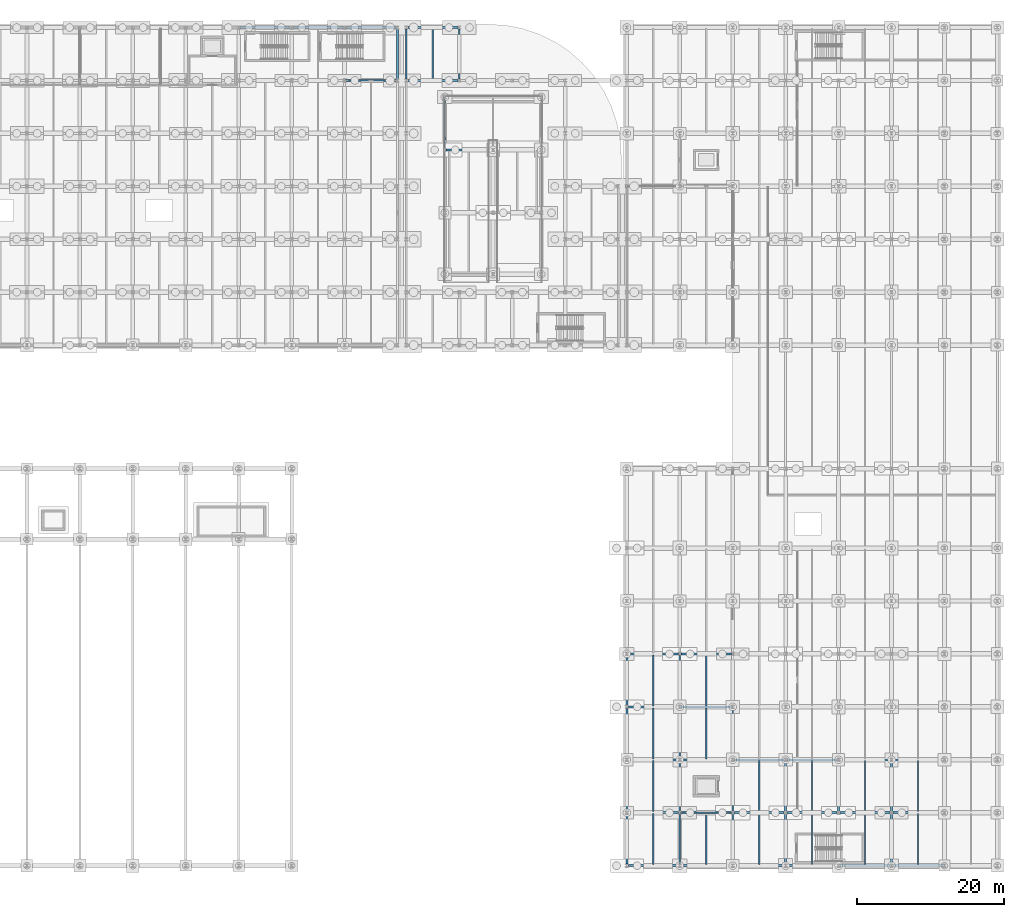
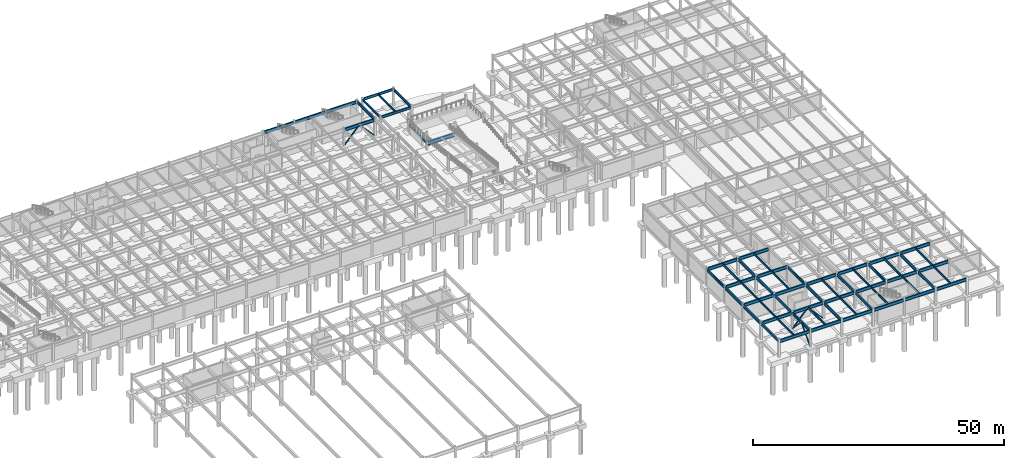
# One storey, part 32 of 54: 65 beams, 6 members.
"""IFC4 building model written with IfcOpenShell, lengths in metres."""

from ifc_helpers import new_model, si_unit, direction, frame, origin, origin_2d, place, context, subcontext, project, spatial, hollow_rectangle, i_section, extrude, material, material_profile, profile_set, type_object, element, save


model = new_model("IFC4")

# Units and contexts
model_context = context("Model", 3, precision=1e-05, world=origin(), true_north=direction((0.0, 1.0)))
body_context = subcontext(model_context, "Body", "Model", "MODEL_VIEW")
ifc_project = project(units=[si_unit("LENGTHUNIT", "METRE"), si_unit("AREAUNIT", "SQUARE_METRE"), si_unit("VOLUMEUNIT", "CUBIC_METRE"), si_unit("PLANEANGLEUNIT", "RADIAN"), si_unit("MASSUNIT", "GRAM", prefix="KILO")], contexts=[model_context])

# Site, building, storey
site_placement = place(None, origin())
site = spatial("IfcSite", under=ifc_project, at=site_placement, CompositionType="ELEMENT")
building_placement = place(site_placement, origin())
building = spatial("IfcBuilding", under=site, at=building_placement, Name="Vaelcorin Mobility Hub", CompositionType="ELEMENT")
storey_placement = place(building_placement, frame((0.0, 0.0, -4.5)))
storey = spatial("IfcBuildingStorey", under=building, at=storey_placement, Name="B1", CompositionType="ELEMENT", Elevation=-4.5)

# Beams
ifc_material_1 = material(Name="Steel ASTM A992 Grade 50", Category="steel")
ifc_material_profile_1 = material_profile(ifc_material_1, i_section(OverallWidth=0.152099609375, OverallDepth=0.455078125, WebThickness=0.008056640625, FlangeThickness=0.01318359375, FilletRadius=0.012939453125, at=origin_2d()), Name="W18X40")
ifc_profile_set_1 = profile_set([ifc_material_profile_1], Name="Steel ASTM A992 Grade 50")
beam_type_1 = type_object("IfcBeamType", Name="BM-W18X40", PredefinedType="JOIST", material=ifc_profile_set_1)
beam_1_placement = place(storey_placement, frame((127.199951171875, 112.912109375, 4.02197265625), z_axis=(0.0, 1.0, 0.0), x_axis=(-1.0, 0.0, 0.0)))
element("IfcBeam", 1, at=beam_1_placement, inside=storey, type_object=beam_type_1, Name="B1 Beam V2E-B1-J-01-06-1", PredefinedType="JOIST", context=body_context, shape_type="SweptSolid", body=[
    extrude(i_section(OverallWidth=0.152099609375, OverallDepth=0.455078125, WebThickness=0.008056640625, FlangeThickness=0.01318359375, FilletRadius=0.012939453125, at=origin_2d()), origin(), (0.0, 0.0, 1.0), 6.975830078125),
])
ifc_material_profile_2 = material_profile(ifc_material_1, i_section(OverallWidth=0.166015625, OverallDepth=0.528076171875, WebThickness=0.009765625, FlangeThickness=0.013671875, FilletRadius=0.013916015625, at=origin_2d()), Name="W21X50")
ifc_profile_set_2 = profile_set([ifc_material_profile_2], Name="Steel ASTM A992 Grade 50")
beam_type_2 = type_object("IfcBeamType", Name="BM-W21X50", PredefinedType="JOIST", material=ifc_profile_set_2)
for number, where, z_axis, x_axis, name in (
    (2, (157.199951171875, 6.132080078125, 3.916015625), (0.0, 1.0, 0.0), (-1.0, 0.0, 0.0), "B1 Beam V5-B1-J-01-01-1"),
    (3, (157.199951171875, 13.33203125, 3.916015625), (0.0, 1.0, 0.0), (-1.0, 0.0, 0.0), "B1 Beam V5-B1-J-01-02-1"),
):
    element("IfcBeam", number, at=place(storey_placement, frame(where, z_axis=z_axis, x_axis=x_axis)), inside=storey, type_object=beam_type_2, Name=name, PredefinedType="JOIST", context=body_context, shape_type="SweptSolid", body=[
        extrude(i_section(OverallWidth=0.166015625, OverallDepth=0.528076171875, WebThickness=0.009765625, FlangeThickness=0.013671875, FilletRadius=0.013916015625, at=origin_2d()), origin(), (0.0, 0.0, 1.0), 6.93603515625),
    ])
beam_2_placement = place(storey_placement, frame((157.199951171875, 20.531005859375, 3.916015625), z_axis=(0.0, 1.0, 0.0), x_axis=(-1.0, 0.0, 0.0)))
element("IfcBeam", 4, at=beam_2_placement, inside=storey, type_object=beam_type_2, Name="B1 Beam V5-B1-J-01-03-1", PredefinedType="JOIST", context=body_context, shape_type="SweptSolid", body=[
    extrude(i_section(OverallWidth=0.166015625, OverallDepth=0.528076171875, WebThickness=0.009765625, FlangeThickness=0.013671875, FilletRadius=0.013916015625, at=origin_2d()), origin(), (0.0, 0.0, 1.0), 6.93798828125),
])
for number, where, z_axis, x_axis, name in (
    (5, (157.199951171875, 27.73193359375, 3.916015625), (0.0, 1.0, 0.0), (-1.0, 0.0, 0.0), "B1 Beam V5-B1-J-01-04-1"),
    (6, (164.39990234375, 6.132080078125, 3.916015625), (0.0, 1.0, 0.0), (-1.0, 0.0, 0.0), "B1 Beam V5-B1-J-02-01-1"),
):
    element("IfcBeam", number, at=place(storey_placement, frame(where, z_axis=z_axis, x_axis=x_axis)), inside=storey, type_object=beam_type_2, Name=name, PredefinedType="JOIST", context=body_context, shape_type="SweptSolid", body=[
        extrude(i_section(OverallWidth=0.166015625, OverallDepth=0.528076171875, WebThickness=0.009765625, FlangeThickness=0.013671875, FilletRadius=0.013916015625, at=origin_2d()), origin(), (0.0, 0.0, 1.0), 6.93603515625),
    ])
beam_3_placement = place(storey_placement, frame((164.39990234375, 20.531005859375, 3.916015625), z_axis=(0.0, 1.0, 0.0), x_axis=(-1.0, 0.0, 0.0)))
element("IfcBeam", 7, at=beam_3_placement, inside=storey, type_object=beam_type_2, Name="B1 Beam V5-B1-J-02-03-1", PredefinedType="JOIST", context=body_context, shape_type="SweptSolid", body=[
    extrude(i_section(OverallWidth=0.166015625, OverallDepth=0.528076171875, WebThickness=0.009765625, FlangeThickness=0.013671875, FilletRadius=0.013916015625, at=origin_2d()), origin(), (0.0, 0.0, 1.0), 6.93798828125),
])
for number, where, z_axis, x_axis, name in (
    (8, (164.39990234375, 27.73193359375, 3.916015625), (0.0, 1.0, 0.0), (-1.0, 0.0, 0.0), "B1 Beam V5-B1-J-02-04-1"),
    (9, (171.60009765625, 6.132080078125, 3.916015625), (0.0, 1.0, 0.0), (-1.0, 0.0, 0.0), "B1 Beam V5-B1-J-03-01-1"),
    (10, (171.60009765625, 13.33203125, 3.916015625), (0.0, 1.0, 0.0), (-1.0, 0.0, 0.0), "B1 Beam V5-B1-J-03-02-1"),
    (11, (178.800048828125, 6.132080078125, 3.916015625), (0.0, 1.0, 0.0), (-1.0, 0.0, 0.0), "B1 Beam V5-B1-J-04-01-1"),
    (12, (178.800048828125, 13.33203125, 3.916015625), (0.0, 1.0, 0.0), (-1.0, 0.0, 0.0), "B1 Beam V5-B1-J-04-02-1"),
    (13, (186.0, 6.132080078125, 3.916015625), (0.0, 1.0, 0.0), (-1.0, 0.0, 0.0), "B1 Beam V5-B1-J-05-01-1"),
    (14, (186.0, 13.33203125, 3.916015625), (0.0, 1.0, 0.0), (-1.0, 0.0, 0.0), "B1 Beam V5-B1-J-05-02-1"),
    (15, (193.199951171875, 6.132080078125, 3.916015625), (0.0, 1.0, 0.0), (-1.0, 0.0, 0.0), "B1 Beam V5-B1-J-06-01-1"),
    (16, (193.199951171875, 13.33203125, 3.916015625), (0.0, 1.0, 0.0), (-1.0, 0.0, 0.0), "B1 Beam V5-B1-J-06-02-1"),
):
    element("IfcBeam", number, at=place(storey_placement, frame(where, z_axis=z_axis, x_axis=x_axis)), inside=storey, type_object=beam_type_2, Name=name, PredefinedType="JOIST", context=body_context, shape_type="SweptSolid", body=[
        extrude(i_section(OverallWidth=0.166015625, OverallDepth=0.528076171875, WebThickness=0.009765625, FlangeThickness=0.013671875, FilletRadius=0.013916015625, at=origin_2d()), origin(), (0.0, 0.0, 1.0), 6.93603515625),
    ])
beam_4_placement = place(storey_placement, frame((128.85009765625, 103.52490234375, 1.696044921875), z_axis=(0.0, 1.0, 0.0), x_axis=(-1.0, 0.0, 0.0)))
element("IfcBeam", 17, at=beam_4_placement, inside=storey, type_object=beam_type_2, Name="Vehicle Ramp VR-2 B1 Landing West Edge Beam", PredefinedType="JOIST", context=body_context, shape_type="SweptSolid", body=[
    extrude(i_section(OverallWidth=0.166015625, OverallDepth=0.528076171875, WebThickness=0.009765625, FlangeThickness=0.013671875, FilletRadius=0.013916015625, at=origin_2d()), origin(), (0.0, 0.0, 1.0), 6.85009765625),
])
ifc_material_profile_3 = material_profile(ifc_material_1, i_section(OverallWidth=0.2099609375, OverallDepth=0.535888671875, WebThickness=0.010986328125, FlangeThickness=0.017333984375, FilletRadius=0.013916015625, at=origin_2d()), Name="W21X68")
ifc_profile_set_3 = profile_set([ifc_material_profile_3], Name="Steel ASTM A992 Grade 50")
beam_type_3 = type_object("IfcBeamType", Name="BM-W21X68", PredefinedType="SPANDREL", material=ifc_profile_set_3)
beam_5_placement = place(storey_placement, frame((123.60009765625, 112.9951171875, 3.98193359375), z_axis=(0.0, 1.0, 0.0), x_axis=(-1.0, 0.0, 0.0)))
element("IfcBeam", 18, at=beam_5_placement, inside=storey, type_object=beam_type_3, Name="B1 Beam V2E-B1-GY-01-06", PredefinedType="SPANDREL", context=body_context, shape_type="SweptSolid", body=[
    extrude(i_section(OverallWidth=0.2099609375, OverallDepth=0.535888671875, WebThickness=0.010986328125, FlangeThickness=0.017333984375, FilletRadius=0.013916015625, at=origin_2d()), origin(), (0.0, 0.0, 1.0), 6.809814453125),
])
ifc_material_profile_4 = material_profile(ifc_material_1, i_section(OverallWidth=0.22802734375, OverallDepth=0.60205078125, WebThickness=0.010498046875, FlangeThickness=0.014892578125, FilletRadius=0.014892578125, at=origin_2d()), Name="W24X68")
ifc_profile_set_4 = profile_set([ifc_material_profile_4], Name="Steel ASTM A992 Grade 50")
beam_type_4 = type_object("IfcBeamType", Name="BM-W24X68", PredefinedType="SPANDREL", material=ifc_profile_set_4)
beam_6_placement = place(storey_placement, frame((123.798095703125, 120.0, 3.948974609375), z_axis=(1.0, 0.0, 0.0), x_axis=(0.0, 1.0, 0.0)))
element("IfcBeam", 19, at=beam_6_placement, inside=storey, type_object=beam_type_4, Name="B1 Beam V2E-B1-GX-07-01", PredefinedType="SPANDREL", context=body_context, shape_type="SweptSolid", body=[
    extrude(i_section(OverallWidth=0.22802734375, OverallDepth=0.60205078125, WebThickness=0.010498046875, FlangeThickness=0.014892578125, FilletRadius=0.014892578125, at=origin_2d()), origin(), (0.0, 0.0, 1.0), 6.804931640625),
])
ifc_material_profile_5 = material_profile(ifc_material_1, i_section(OverallWidth=0.22900390625, OverallDepth=0.612060546875, WebThickness=0.011962890625, FlangeThickness=0.01953125, FilletRadius=0.014892578125, at=origin_2d()), Name="W24X84")
ifc_profile_set_5 = profile_set([ifc_material_profile_5], Name="Steel ASTM A992 Grade 50")
beam_type_5 = type_object("IfcBeamType", Name="BM-W24X84", PredefinedType="BEAM", material=ifc_profile_set_5)
beam_7_placement = place(storey_placement, frame((123.798095703125, 112.800048828125, 3.944091796875), z_axis=(1.0, 0.0, 0.0), x_axis=(0.0, 1.0, 0.0)))
element("IfcBeam", 20, at=beam_7_placement, inside=storey, type_object=beam_type_5, Name="B1 Beam V2E-B1-GX-06-01", PredefinedType="BEAM", context=body_context, shape_type="SweptSolid", body=[
    extrude(i_section(OverallWidth=0.22900390625, OverallDepth=0.612060546875, WebThickness=0.011962890625, FlangeThickness=0.01953125, FilletRadius=0.014892578125, at=origin_2d()), origin(), (0.0, 0.0, 1.0), 6.804931640625),
])
beam_8_placement = place(storey_placement, frame((130.800048828125, 112.9951171875, 3.944091796875), z_axis=(0.0, 1.0, 0.0), x_axis=(-1.0, 0.0, 0.0)))
element("IfcBeam", 21, at=beam_8_placement, inside=storey, type_object=beam_type_5, Name="B1 Beam V2E-B1-GY-02-06", PredefinedType="BEAM", context=body_context, shape_type="SweptSolid", body=[
    extrude(i_section(OverallWidth=0.22900390625, OverallDepth=0.612060546875, WebThickness=0.011962890625, FlangeThickness=0.01953125, FilletRadius=0.014892578125, at=origin_2d()), origin(), (0.0, 0.0, 1.0), 6.809814453125),
])
ifc_material_profile_6 = material_profile(ifc_material_1, i_section(OverallWidth=0.25390625, OverallDepth=0.68310546875, WebThickness=0.012451171875, FlangeThickness=0.018798828125, FilletRadius=0.01611328125, at=origin_2d()), Name="W27X94")
ifc_profile_set_6 = profile_set([ifc_material_profile_6], Name="Steel ASTM A992 Grade 50")
beam_type_6 = type_object("IfcBeamType", Name="BM-W27X94", PredefinedType="BEAM", material=ifc_profile_set_6)
beam_9_placement = place(storey_placement, frame((122.39990234375, 113.010009765625, 3.8779296875), z_axis=(0.0, 1.0, 0.0), x_axis=(-1.0, 0.0, 0.0)))
element("IfcBeam", 22, at=beam_9_placement, inside=storey, type_object=beam_type_6, Name="B1 Beam V4-B1-GY-13-06", PredefinedType="BEAM", context=body_context, shape_type="SweptSolid", body=[
    extrude(i_section(OverallWidth=0.25390625, OverallDepth=0.68310546875, WebThickness=0.012451171875, FlangeThickness=0.018798828125, FilletRadius=0.01611328125, at=origin_2d()), origin(), (0.0, 0.0, 1.0), 6.7890625),
])
beam_10_placement = place(storey_placement, frame((153.60009765625, 6.195068359375, 3.837890625), z_axis=(0.0, 1.0, 0.0), x_axis=(-1.0, 0.0, 0.0)))
element("IfcBeam", 23, at=beam_10_placement, inside=storey, type_object=beam_type_6, Name="B1 Beam V5-B1-GY-01-01", PredefinedType="BEAM", context=body_context, shape_type="SweptSolid", body=[
    extrude(i_section(OverallWidth=0.25390625, OverallDepth=0.68310546875, WebThickness=0.012451171875, FlangeThickness=0.018798828125, FilletRadius=0.01611328125, at=origin_2d()), origin(), (0.0, 0.0, 1.0), 6.809814453125),
])
for number, where, z_axis, x_axis, name in (
    (24, (153.60009765625, 13.39501953125, 3.837890625), (0.0, 1.0, 0.0), (-1.0, 0.0, 0.0), "B1 Beam V5-B1-GY-01-02"),
    (25, (153.60009765625, 20.594970703125, 3.837890625), (0.0, 1.0, 0.0), (-1.0, 0.0, 0.0), "B1 Beam V5-B1-GY-01-03"),
    (26, (153.60009765625, 27.794921875, 3.837890625), (0.0, 1.0, 0.0), (-1.0, 0.0, 0.0), "B1 Beam V5-B1-GY-01-04"),
):
    element("IfcBeam", number, at=place(storey_placement, frame(where, z_axis=z_axis, x_axis=x_axis)), inside=storey, type_object=beam_type_6, Name=name, PredefinedType="BEAM", context=body_context, shape_type="SweptSolid", body=[
        extrude(i_section(OverallWidth=0.25390625, OverallDepth=0.68310546875, WebThickness=0.012451171875, FlangeThickness=0.018798828125, FilletRadius=0.01611328125, at=origin_2d()), origin(), (0.0, 0.0, 1.0), 6.81005859375),
    ])
beam_11_placement = place(storey_placement, frame((160.800048828125, 6.195068359375, 3.837890625), z_axis=(0.0, 1.0, 0.0), x_axis=(-1.0, 0.0, 0.0)))
element("IfcBeam", 27, at=beam_11_placement, inside=storey, type_object=beam_type_6, Name="B1 Beam V5-B1-GY-02-01", PredefinedType="BEAM", context=body_context, shape_type="SweptSolid", body=[
    extrude(i_section(OverallWidth=0.25390625, OverallDepth=0.68310546875, WebThickness=0.012451171875, FlangeThickness=0.018798828125, FilletRadius=0.01611328125, at=origin_2d()), origin(), (0.0, 0.0, 1.0), 6.809814453125),
])
for number, where, z_axis, x_axis, name in (
    (28, (160.800048828125, 13.39501953125, 3.837890625), (0.0, 1.0, 0.0), (-1.0, 0.0, 0.0), "B1 Beam V5-B1-GY-02-02"),
    (29, (160.800048828125, 20.594970703125, 3.837890625), (0.0, 1.0, 0.0), (-1.0, 0.0, 0.0), "B1 Beam V5-B1-GY-02-03"),
    (30, (160.800048828125, 27.794921875, 3.837890625), (0.0, 1.0, 0.0), (-1.0, 0.0, 0.0), "B1 Beam V5-B1-GY-02-04"),
):
    element("IfcBeam", number, at=place(storey_placement, frame(where, z_axis=z_axis, x_axis=x_axis)), inside=storey, type_object=beam_type_6, Name=name, PredefinedType="BEAM", context=body_context, shape_type="SweptSolid", body=[
        extrude(i_section(OverallWidth=0.25390625, OverallDepth=0.68310546875, WebThickness=0.012451171875, FlangeThickness=0.018798828125, FilletRadius=0.01611328125, at=origin_2d()), origin(), (0.0, 0.0, 1.0), 6.81005859375),
    ])
beam_12_placement = place(storey_placement, frame((168.0, 6.195068359375, 3.837890625), z_axis=(0.0, 1.0, 0.0), x_axis=(-1.0, 0.0, 0.0)))
element("IfcBeam", 31, at=beam_12_placement, inside=storey, type_object=beam_type_6, Name="B1 Beam V5-B1-GY-03-01", PredefinedType="BEAM", context=body_context, shape_type="SweptSolid", body=[
    extrude(i_section(OverallWidth=0.25390625, OverallDepth=0.68310546875, WebThickness=0.012451171875, FlangeThickness=0.018798828125, FilletRadius=0.01611328125, at=origin_2d()), origin(), (0.0, 0.0, 1.0), 6.809814453125),
])
for number, where, z_axis, x_axis, name in (
    (32, (168.0, 13.39501953125, 3.837890625), (0.0, 1.0, 0.0), (-1.0, 0.0, 0.0), "B1 Beam V5-B1-GY-03-02"),
    (33, (168.0, 20.594970703125, 3.837890625), (0.0, 1.0, 0.0), (-1.0, 0.0, 0.0), "B1 Beam V5-B1-GY-03-03"),
):
    element("IfcBeam", number, at=place(storey_placement, frame(where, z_axis=z_axis, x_axis=x_axis)), inside=storey, type_object=beam_type_6, Name=name, PredefinedType="BEAM", context=body_context, shape_type="SweptSolid", body=[
        extrude(i_section(OverallWidth=0.25390625, OverallDepth=0.68310546875, WebThickness=0.012451171875, FlangeThickness=0.018798828125, FilletRadius=0.01611328125, at=origin_2d()), origin(), (0.0, 0.0, 1.0), 6.81005859375),
    ])
beam_13_placement = place(storey_placement, frame((175.199951171875, 6.195068359375, 3.837890625), z_axis=(0.0, 1.0, 0.0), x_axis=(-1.0, 0.0, 0.0)))
element("IfcBeam", 34, at=beam_13_placement, inside=storey, type_object=beam_type_6, Name="B1 Beam V5-B1-GY-04-01", PredefinedType="BEAM", context=body_context, shape_type="SweptSolid", body=[
    extrude(i_section(OverallWidth=0.25390625, OverallDepth=0.68310546875, WebThickness=0.012451171875, FlangeThickness=0.018798828125, FilletRadius=0.01611328125, at=origin_2d()), origin(), (0.0, 0.0, 1.0), 6.809814453125),
])
for number, where, z_axis, x_axis, name in (
    (35, (175.199951171875, 13.39501953125, 3.837890625), (0.0, 1.0, 0.0), (-1.0, 0.0, 0.0), "B1 Beam V5-B1-GY-04-02"),
    (36, (182.39990234375, 13.39501953125, 3.837890625), (0.0, 1.0, 0.0), (-1.0, 0.0, 0.0), "B1 Beam V5-B1-GY-05-02"),
):
    element("IfcBeam", number, at=place(storey_placement, frame(where, z_axis=z_axis, x_axis=x_axis)), inside=storey, type_object=beam_type_6, Name=name, PredefinedType="BEAM", context=body_context, shape_type="SweptSolid", body=[
        extrude(i_section(OverallWidth=0.25390625, OverallDepth=0.68310546875, WebThickness=0.012451171875, FlangeThickness=0.018798828125, FilletRadius=0.01611328125, at=origin_2d()), origin(), (0.0, 0.0, 1.0), 6.81005859375),
    ])
beam_14_placement = place(storey_placement, frame((189.60009765625, 6.195068359375, 3.837890625), z_axis=(0.0, 1.0, 0.0), x_axis=(-1.0, 0.0, 0.0)))
element("IfcBeam", 37, at=beam_14_placement, inside=storey, type_object=beam_type_6, Name="B1 Beam V5-B1-GY-06-01", PredefinedType="BEAM", context=body_context, shape_type="SweptSolid", body=[
    extrude(i_section(OverallWidth=0.25390625, OverallDepth=0.68310546875, WebThickness=0.012451171875, FlangeThickness=0.018798828125, FilletRadius=0.01611328125, at=origin_2d()), origin(), (0.0, 0.0, 1.0), 6.809814453125),
])
beam_15_placement = place(storey_placement, frame((189.60009765625, 13.39501953125, 3.837890625), z_axis=(0.0, 1.0, 0.0), x_axis=(-1.0, 0.0, 0.0)))
element("IfcBeam", 38, at=beam_15_placement, inside=storey, type_object=beam_type_6, Name="B1 Beam V5-B1-GY-06-02", PredefinedType="BEAM", context=body_context, shape_type="SweptSolid", body=[
    extrude(i_section(OverallWidth=0.25390625, OverallDepth=0.68310546875, WebThickness=0.012451171875, FlangeThickness=0.018798828125, FilletRadius=0.01611328125, at=origin_2d()), origin(), (0.0, 0.0, 1.0), 6.81005859375),
])
ifc_material_profile_7 = material_profile(ifc_material_1, i_section(OverallWidth=0.26708984375, OverallDepth=0.757080078125, WebThickness=0.013916015625, FlangeThickness=0.019287109375, FilletRadius=0.01708984375, at=origin_2d()), Name="W30X108")
ifc_profile_set_7 = profile_set([ifc_material_profile_7], Name="Steel ASTM A992 Grade 50")
beam_type_7 = type_object("IfcBeamType", Name="BM-W30X108", PredefinedType="BEAM", material=ifc_profile_set_7)
beam_16_placement = place(storey_placement, frame((115.402099609375, 112.800048828125, 3.841064453125), z_axis=(1.0, 0.0, 0.0), x_axis=(0.0, 1.0, 0.0)))
element("IfcBeam", 39, at=beam_16_placement, inside=storey, type_object=beam_type_7, Name="B1 Beam V4-B1-GX-06-12", PredefinedType="BEAM", context=body_context, shape_type="SweptSolid", body=[
    extrude(i_section(OverallWidth=0.26708984375, OverallDepth=0.757080078125, WebThickness=0.013916015625, FlangeThickness=0.019287109375, FilletRadius=0.01708984375, at=origin_2d()), origin(), (0.0, 0.0, 1.0), 6.7958984375),
])
for number, where, z_axis, x_axis, name in (
    (40, (101.0, 120.0, 3.841064453125), (1.0, 0.0, 0.0), (0.0, 1.0, 0.0), "B1 Beam V4-B1-GX-07-10"),
    (41, (108.199951171875, 120.0, 3.841064453125), (1.0, 0.0, 0.0), (0.0, 1.0, 0.0), "B1 Beam V4-B1-GX-07-11"),
    (42, (115.39990234375, 120.0, 3.841064453125), (1.0, 0.0, 0.0), (0.0, 1.0, 0.0), "B1 Beam V4-B1-GX-07-12"),
):
    element("IfcBeam", number, at=place(storey_placement, frame(where, z_axis=z_axis, x_axis=x_axis)), inside=storey, type_object=beam_type_7, Name=name, PredefinedType="BEAM", context=body_context, shape_type="SweptSolid", body=[
        extrude(i_section(OverallWidth=0.26708984375, OverallDepth=0.757080078125, WebThickness=0.013916015625, FlangeThickness=0.019287109375, FilletRadius=0.01708984375, at=origin_2d()), origin(), (0.0, 0.0, 1.0), 6.800048828125),
    ])
for number, where, z_axis, x_axis, name in (
    (43, (153.797119140625, 6.0, 3.802001953125), (1.0, 0.0, 0.0), (0.0, 1.0, 0.0), "B1 Beam V5-B1-GX-01-01"),
    (44, (160.9970703125, 6.0, 3.802001953125), (1.0, 0.0, 0.0), (0.0, 1.0, 0.0), "B1 Beam V5-B1-GX-01-02"),
):
    element("IfcBeam", number, at=place(storey_placement, frame(where, z_axis=z_axis, x_axis=x_axis)), inside=storey, type_object=beam_type_7, Name=name, PredefinedType="BEAM", context=body_context, shape_type="SweptSolid", body=[
        extrude(i_section(OverallWidth=0.26708984375, OverallDepth=0.757080078125, WebThickness=0.013916015625, FlangeThickness=0.019287109375, FilletRadius=0.01708984375, at=origin_2d()), origin(), (0.0, 0.0, 1.0), 6.804931640625),
    ])
beam_17_placement = place(storey_placement, frame((168.197998046875, 6.0, 3.802001953125), z_axis=(1.0, 0.0, 0.0), x_axis=(0.0, 1.0, 0.0)))
element("IfcBeam", 45, at=beam_17_placement, inside=storey, type_object=beam_type_7, Name="B1 Beam V5-B1-GX-01-03", PredefinedType="BEAM", context=body_context, shape_type="SweptSolid", body=[
    extrude(i_section(OverallWidth=0.26708984375, OverallDepth=0.757080078125, WebThickness=0.013916015625, FlangeThickness=0.019287109375, FilletRadius=0.01708984375, at=origin_2d()), origin(), (0.0, 0.0, 1.0), 6.803955078125),
])
beam_18_placement = place(storey_placement, frame((175.39697265625, 6.0, 3.802001953125), z_axis=(1.0, 0.0, 0.0), x_axis=(0.0, 1.0, 0.0)))
element("IfcBeam", 46, at=beam_18_placement, inside=storey, type_object=beam_type_7, Name="B1 Beam V5-B1-GX-01-04", PredefinedType="BEAM", context=body_context, shape_type="SweptSolid", body=[
    extrude(i_section(OverallWidth=0.26708984375, OverallDepth=0.757080078125, WebThickness=0.013916015625, FlangeThickness=0.019287109375, FilletRadius=0.01708984375, at=origin_2d()), origin(), (0.0, 0.0, 1.0), 6.805908203125),
])
beam_19_placement = place(storey_placement, frame((182.597900390625, 6.0, 3.802001953125), z_axis=(1.0, 0.0, 0.0), x_axis=(0.0, 1.0, 0.0)))
element("IfcBeam", 47, at=beam_19_placement, inside=storey, type_object=beam_type_7, Name="B1 Beam V5-B1-GX-01-05", PredefinedType="BEAM", context=body_context, shape_type="SweptSolid", body=[
    extrude(i_section(OverallWidth=0.26708984375, OverallDepth=0.757080078125, WebThickness=0.013916015625, FlangeThickness=0.019287109375, FilletRadius=0.01708984375, at=origin_2d()), origin(), (0.0, 0.0, 1.0), 6.80419921875),
])
beam_20_placement = place(storey_placement, frame((189.797119140625, 6.0, 3.802001953125), z_axis=(1.0, 0.0, 0.0), x_axis=(0.0, 1.0, 0.0)))
element("IfcBeam", 48, at=beam_20_placement, inside=storey, type_object=beam_type_7, Name="B1 Beam V5-B1-GX-01-06", PredefinedType="BEAM", context=body_context, shape_type="SweptSolid", body=[
    extrude(i_section(OverallWidth=0.26708984375, OverallDepth=0.757080078125, WebThickness=0.013916015625, FlangeThickness=0.019287109375, FilletRadius=0.01708984375, at=origin_2d()), origin(), (0.0, 0.0, 1.0), 6.805908203125),
])
for number, where, z_axis, x_axis, name in (
    (49, (153.797119140625, 13.199951171875, 3.802001953125), (1.0, 0.0, 0.0), (0.0, 1.0, 0.0), "B1 Beam V5-B1-GX-02-01"),
    (50, (160.9970703125, 13.199951171875, 3.802001953125), (1.0, 0.0, 0.0), (0.0, 1.0, 0.0), "B1 Beam V5-B1-GX-02-02"),
):
    element("IfcBeam", number, at=place(storey_placement, frame(where, z_axis=z_axis, x_axis=x_axis)), inside=storey, type_object=beam_type_7, Name=name, PredefinedType="BEAM", context=body_context, shape_type="SweptSolid", body=[
        extrude(i_section(OverallWidth=0.26708984375, OverallDepth=0.757080078125, WebThickness=0.013916015625, FlangeThickness=0.019287109375, FilletRadius=0.01708984375, at=origin_2d()), origin(), (0.0, 0.0, 1.0), 6.804931640625),
    ])
beam_21_placement = place(storey_placement, frame((168.197998046875, 13.199951171875, 3.802001953125), z_axis=(1.0, 0.0, 0.0), x_axis=(0.0, 1.0, 0.0)))
element("IfcBeam", 51, at=beam_21_placement, inside=storey, type_object=beam_type_7, Name="B1 Beam V5-B1-GX-02-03", PredefinedType="BEAM", context=body_context, shape_type="SweptSolid", body=[
    extrude(i_section(OverallWidth=0.26708984375, OverallDepth=0.757080078125, WebThickness=0.013916015625, FlangeThickness=0.019287109375, FilletRadius=0.01708984375, at=origin_2d()), origin(), (0.0, 0.0, 1.0), 6.803955078125),
])
beam_22_placement = place(storey_placement, frame((175.39697265625, 13.199951171875, 3.802001953125), z_axis=(1.0, 0.0, 0.0), x_axis=(0.0, 1.0, 0.0)))
element("IfcBeam", 52, at=beam_22_placement, inside=storey, type_object=beam_type_7, Name="B1 Beam V5-B1-GX-02-04", PredefinedType="BEAM", context=body_context, shape_type="SweptSolid", body=[
    extrude(i_section(OverallWidth=0.26708984375, OverallDepth=0.757080078125, WebThickness=0.013916015625, FlangeThickness=0.019287109375, FilletRadius=0.01708984375, at=origin_2d()), origin(), (0.0, 0.0, 1.0), 6.805908203125),
])
beam_23_placement = place(storey_placement, frame((182.597900390625, 13.199951171875, 3.802001953125), z_axis=(1.0, 0.0, 0.0), x_axis=(0.0, 1.0, 0.0)))
element("IfcBeam", 53, at=beam_23_placement, inside=storey, type_object=beam_type_7, Name="B1 Beam V5-B1-GX-02-05", PredefinedType="BEAM", context=body_context, shape_type="SweptSolid", body=[
    extrude(i_section(OverallWidth=0.26708984375, OverallDepth=0.757080078125, WebThickness=0.013916015625, FlangeThickness=0.019287109375, FilletRadius=0.01708984375, at=origin_2d()), origin(), (0.0, 0.0, 1.0), 6.80419921875),
])
beam_24_placement = place(storey_placement, frame((189.797119140625, 13.199951171875, 3.802001953125), z_axis=(1.0, 0.0, 0.0), x_axis=(0.0, 1.0, 0.0)))
element("IfcBeam", 54, at=beam_24_placement, inside=storey, type_object=beam_type_7, Name="B1 Beam V5-B1-GX-02-06", PredefinedType="BEAM", context=body_context, shape_type="SweptSolid", body=[
    extrude(i_section(OverallWidth=0.26708984375, OverallDepth=0.757080078125, WebThickness=0.013916015625, FlangeThickness=0.019287109375, FilletRadius=0.01708984375, at=origin_2d()), origin(), (0.0, 0.0, 1.0), 6.805908203125),
])
for number, where, z_axis, x_axis, name in (
    (55, (153.797119140625, 20.39990234375, 3.802001953125), (1.0, 0.0, 0.0), (0.0, 1.0, 0.0), "B1 Beam V5-B1-GX-03-01"),
    (56, (160.9970703125, 20.39990234375, 3.802001953125), (1.0, 0.0, 0.0), (0.0, 1.0, 0.0), "B1 Beam V5-B1-GX-03-02"),
):
    element("IfcBeam", number, at=place(storey_placement, frame(where, z_axis=z_axis, x_axis=x_axis)), inside=storey, type_object=beam_type_7, Name=name, PredefinedType="BEAM", context=body_context, shape_type="SweptSolid", body=[
        extrude(i_section(OverallWidth=0.26708984375, OverallDepth=0.757080078125, WebThickness=0.013916015625, FlangeThickness=0.019287109375, FilletRadius=0.01708984375, at=origin_2d()), origin(), (0.0, 0.0, 1.0), 6.804931640625),
    ])
beam_25_placement = place(storey_placement, frame((168.197998046875, 20.39990234375, 3.802001953125), z_axis=(1.0, 0.0, 0.0), x_axis=(0.0, 1.0, 0.0)))
element("IfcBeam", 57, at=beam_25_placement, inside=storey, type_object=beam_type_7, Name="B1 Beam V5-B1-GX-03-03", PredefinedType="BEAM", context=body_context, shape_type="SweptSolid", body=[
    extrude(i_section(OverallWidth=0.26708984375, OverallDepth=0.757080078125, WebThickness=0.013916015625, FlangeThickness=0.019287109375, FilletRadius=0.01708984375, at=origin_2d()), origin(), (0.0, 0.0, 1.0), 6.803955078125),
])
beam_26_placement = place(storey_placement, frame((175.39697265625, 20.39990234375, 3.802001953125), z_axis=(1.0, 0.0, 0.0), x_axis=(0.0, 1.0, 0.0)))
element("IfcBeam", 58, at=beam_26_placement, inside=storey, type_object=beam_type_7, Name="B1 Beam V5-B1-GX-03-04", PredefinedType="BEAM", context=body_context, shape_type="SweptSolid", body=[
    extrude(i_section(OverallWidth=0.26708984375, OverallDepth=0.757080078125, WebThickness=0.013916015625, FlangeThickness=0.019287109375, FilletRadius=0.01708984375, at=origin_2d()), origin(), (0.0, 0.0, 1.0), 6.805908203125),
])
beam_27_placement = place(storey_placement, frame((182.597900390625, 20.39990234375, 3.802001953125), z_axis=(1.0, 0.0, 0.0), x_axis=(0.0, 1.0, 0.0)))
element("IfcBeam", 59, at=beam_27_placement, inside=storey, type_object=beam_type_7, Name="B1 Beam V5-B1-GX-03-05", PredefinedType="BEAM", context=body_context, shape_type="SweptSolid", body=[
    extrude(i_section(OverallWidth=0.26708984375, OverallDepth=0.757080078125, WebThickness=0.013916015625, FlangeThickness=0.019287109375, FilletRadius=0.01708984375, at=origin_2d()), origin(), (0.0, 0.0, 1.0), 6.80419921875),
])
beam_28_placement = place(storey_placement, frame((189.797119140625, 20.39990234375, 3.802001953125), z_axis=(1.0, 0.0, 0.0), x_axis=(0.0, 1.0, 0.0)))
element("IfcBeam", 60, at=beam_28_placement, inside=storey, type_object=beam_type_7, Name="B1 Beam V5-B1-GX-03-06", PredefinedType="BEAM", context=body_context, shape_type="SweptSolid", body=[
    extrude(i_section(OverallWidth=0.26708984375, OverallDepth=0.757080078125, WebThickness=0.013916015625, FlangeThickness=0.019287109375, FilletRadius=0.01708984375, at=origin_2d()), origin(), (0.0, 0.0, 1.0), 6.805908203125),
])
for number, where, z_axis, x_axis, name in (
    (61, (153.797119140625, 27.60009765625, 3.802001953125), (1.0, 0.0, 0.0), (0.0, 1.0, 0.0), "B1 Beam V5-B1-GX-04-01"),
    (62, (160.9970703125, 27.60009765625, 3.802001953125), (1.0, 0.0, 0.0), (0.0, 1.0, 0.0), "B1 Beam V5-B1-GX-04-02"),
    (63, (153.797119140625, 34.800048828125, 3.802001953125), (1.0, 0.0, 0.0), (0.0, 1.0, 0.0), "B1 Beam V5-B1-GX-05-01"),
    (64, (160.9970703125, 34.800048828125, 3.802001953125), (1.0, 0.0, 0.0), (0.0, 1.0, 0.0), "B1 Beam V5-B1-GX-05-02"),
):
    element("IfcBeam", number, at=place(storey_placement, frame(where, z_axis=z_axis, x_axis=x_axis)), inside=storey, type_object=beam_type_7, Name=name, PredefinedType="BEAM", context=body_context, shape_type="SweptSolid", body=[
        extrude(i_section(OverallWidth=0.26708984375, OverallDepth=0.757080078125, WebThickness=0.013916015625, FlangeThickness=0.019287109375, FilletRadius=0.01708984375, at=origin_2d()), origin(), (0.0, 0.0, 1.0), 6.804931640625),
    ])
ifc_material_profile_8 = material_profile(ifc_material_1, i_section(OverallWidth=0.304931640625, OverallDepth=0.9140625, WebThickness=0.0166015625, FlangeThickness=0.02587890625, FilletRadius=0.02001953125, at=origin_2d()), Name="W36X160")
ifc_profile_set_8 = profile_set([ifc_material_profile_8], Name="Steel ASTM A992 Grade 50")
beam_type_8 = type_object("IfcBeamType", Name="BM-W36X160", PredefinedType="BEAM", material=ifc_profile_set_8)
beam_29_placement = place(storey_placement, frame((128.97998046875, 103.35009765625, 1.5029296875), z_axis=(1.0, 0.0, 0.0), x_axis=(0.0, 1.0, 0.0)))
element("IfcBeam", 65, at=beam_29_placement, inside=storey, type_object=beam_type_8, Name="Vehicle Ramp VR-2 B1 Landing Girder NW", PredefinedType="BEAM", context=body_context, shape_type="SweptSolid", body=[
    extrude(i_section(OverallWidth=0.304931640625, OverallDepth=0.9140625, WebThickness=0.0166015625, FlangeThickness=0.02587890625, FilletRadius=0.02001953125, at=origin_2d()), origin(), (0.0, 0.0, 1.0), 6.2900390625),
])

# Members
ifc_material_2 = material(Name="Steel ASTM A500 Grade C", Category="steel")
ifc_material_profile_9 = material_profile(ifc_material_2, hollow_rectangle(XDim=0.203125, YDim=0.203125, WallThickness=0.01171875, at=origin_2d()), Name="HSS8X8X0.500")
ifc_profile_set_9 = profile_set([ifc_material_profile_9], Name="Steel ASTM A500 Grade C")
member_type = type_object("IfcMemberType", Name="BR-SCBF-8X8", PredefinedType="BRACE", material=ifc_profile_set_9)
member_1_placement = place(storey_placement, frame((115.389892578125, 112.800048828125, 0.179931640625), z_axis=(0.68068097154, 0.0, 0.732579971732), x_axis=(0.0, 1.0, 0.0)))
element("IfcMember", 66, at=member_1_placement, inside=storey, type_object=member_type, Name="SCBF Chevron Brace V4-BX2-B1-A", PredefinedType="BRACE", context=body_context, shape_type="SweptSolid", body=[
    extrude(hollow_rectangle(XDim=0.203125, YDim=0.203125, WallThickness=0.01171875, at=origin_2d()), origin(), (0.0, 0.0, 1.0), 5.010009765625),
])
for number, where, z_axis, x_axis, name in (
    (67, (122.2099609375, 112.800048828125, 0.179931640625), (-0.680654817362, 0.0, 0.73260427217), (0.0, -1.0, 0.0), "SCBF Chevron Brace V4-BX2-B1-B"),
    (68, (160.989990234375, 13.199951171875, 0.179931640625), (0.680654817362, 0.0, 0.73260427217), (0.0, 1.0, 0.0), "SCBF Chevron Brace V5-BX1-B1-A"),
):
    element("IfcMember", number, at=place(storey_placement, frame(where, z_axis=z_axis, x_axis=x_axis)), inside=storey, type_object=member_type, Name=name, PredefinedType="BRACE", context=body_context, shape_type="SweptSolid", body=[
        extrude(hollow_rectangle(XDim=0.203125, YDim=0.203125, WallThickness=0.01171875, at=origin_2d()), origin(), (0.0, 0.0, 1.0), 5.009765625),
    ])
for number, where, z_axis, x_axis, name in (
    (69, (167.81005859375, 13.199951171875, 0.179931640625), (-0.68068097154, 0.0, 0.732579971732), (0.0, -1.0, 0.0), "SCBF Chevron Brace V5-BX1-B1-B"),
    (70, (160.800048828125, 6.18994140625, 0.179931640625), (0.0, 0.68068097154, 0.732579971732), (-1.0, 0.0, 0.0), "SCBF Chevron Brace V5-BY1-B1-A"),
):
    element("IfcMember", number, at=place(storey_placement, frame(where, z_axis=z_axis, x_axis=x_axis)), inside=storey, type_object=member_type, Name=name, PredefinedType="BRACE", context=body_context, shape_type="SweptSolid", body=[
        extrude(hollow_rectangle(XDim=0.203125, YDim=0.203125, WallThickness=0.01171875, at=origin_2d()), origin(), (0.0, 0.0, 1.0), 5.010009765625),
    ])
member_2_placement = place(storey_placement, frame((160.800048828125, 13.010009765625, 0.179931640625), z_axis=(0.0, -0.680654817362, 0.73260427217), x_axis=(1.0, 0.0, 0.0)))
element("IfcMember", 71, at=member_2_placement, inside=storey, type_object=member_type, Name="SCBF Chevron Brace V5-BY1-B1-B", PredefinedType="BRACE", context=body_context, shape_type="SweptSolid", body=[
    extrude(hollow_rectangle(XDim=0.203125, YDim=0.203125, WallThickness=0.01171875, at=origin_2d()), origin(), (0.0, 0.0, 1.0), 5.009765625),
])

save(model, "model.ifc")
